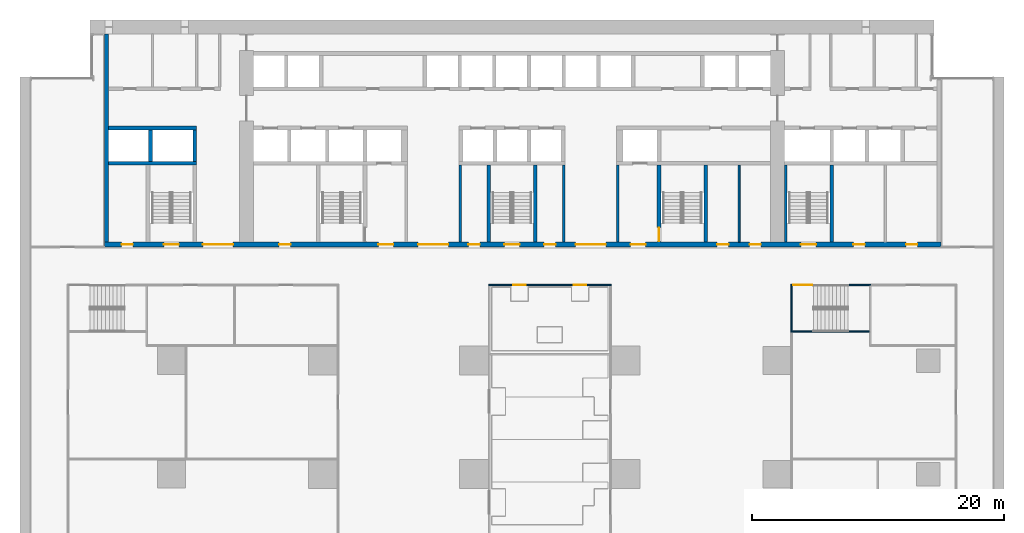
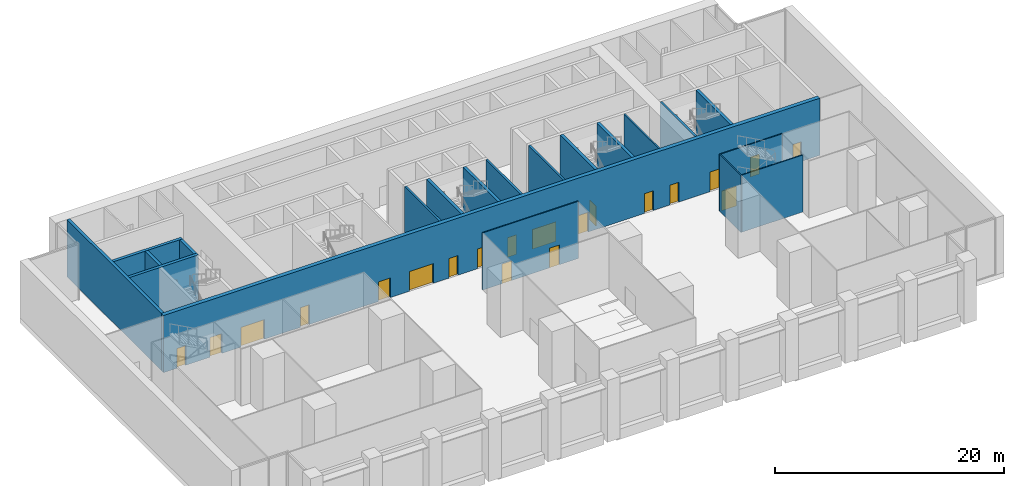
# One storey, part 8 of 18: 20 doors, 20 walls, 20 openings.
"""IFC4 building model written with IfcOpenShell, lengths in metres."""

from ifc_helpers import new_model, si_unit, direction, frame, frame_2d, origin, place, context, subcontext, project, spatial, rectangle, extrude, material, layer, layer_set, type_object, element, fill, save


model = new_model("IFC4")

# Units and contexts
model_context = context("Model", 3, precision=1e-05, world=origin(), true_north=direction((0.0, 1.0)))
body_context = subcontext(model_context, "Body", "Model", "MODEL_VIEW")
ifc_project = project(units=[si_unit("LENGTHUNIT", "METRE"), si_unit("AREAUNIT", "SQUARE_METRE"), si_unit("VOLUMEUNIT", "CUBIC_METRE"), si_unit("PLANEANGLEUNIT", "RADIAN"), si_unit("MASSUNIT", "GRAM", prefix="KILO")], contexts=[model_context])

# Site, building, storey
site_placement = place(None, origin())
site = spatial("IfcSite", under=ifc_project, at=site_placement, CompositionType="ELEMENT")
building_placement = place(site_placement, origin())
building = spatial("IfcBuilding", under=site, at=building_placement, Name="Calvaro Tower", CompositionType="ELEMENT")
storey_placement = place(building_placement, frame((0.0, 0.0, 11.300048828125)))
storey = spatial("IfcBuildingStorey", under=building, at=storey_placement, Name="L02", CompositionType="ELEMENT", Elevation=11.300048828125)

# Walls
ifc_material_1 = material(Name="Blockwork partition", Category="masonry")
ifc_layer_1 = layer(ifc_material_1, 0.14990234375)
ifc_layer_set_1 = layer_set([ifc_layer_1], Name="Blockwork partition")
wall_type_1 = type_object("IfcWallType", Name="Core partition 150 EI 60", PredefinedType="PARTITIONING", material=ifc_layer_set_1)
wall_1_placement = place(storey_placement, frame((57.0, 28.39990234375, 0.0), z_axis=(0.0, 0.0, 1.0), x_axis=(0.0, 1.0, 0.0)))
element("IfcWall", 1, at=wall_1_placement, inside=storey, type_object=wall_type_1, Name="Core partition", PredefinedType="PARTITIONING", context=body_context, shape_type="SweptSolid", body=[
    extrude(rectangle(XDim=6.10009765625, YDim=0.14990234375, at=frame_2d((3.050048828125, 0.0))), origin(), (0.0, 0.0, 1.0), 6.099853515625),
])
ifc_material_2 = material(Name="Blockwork partition", Category="masonry")
ifc_layer_2 = layer(ifc_material_2, 0.199951171875)
ifc_layer_set_2 = layer_set([ifc_layer_2], Name="Blockwork partition")
wall_type_2 = type_object("IfcWallType", Name="Core partition 200 REI 120", PredefinedType="PARTITIONING", material=ifc_layer_set_2)
for number, where, z_axis, x_axis, name in (
    (2, (34.89990234375, 28.39990234375, 0.0), (0.0, 0.0, 1.0), (0.0, 1.0, 0.0), "Core partition"),
    (3, (43.10009765625, 28.39990234375, 0.0), (0.0, 0.0, 1.0), (0.0, 1.0, 0.0), "Core partition"),
    (4, (47.39990234375, 28.39990234375, 0.0), (0.0, 0.0, 1.0), (0.0, 1.0, 0.0), "Core partition"),
):
    element("IfcWall", number, at=place(storey_placement, frame(where, z_axis=z_axis, x_axis=x_axis)), inside=storey, type_object=wall_type_2, Name=name, PredefinedType="PARTITIONING", context=body_context, shape_type="SweptSolid", body=[
        extrude(rectangle(XDim=6.10009765625, YDim=0.199951171875, at=frame_2d((3.050048828125, 0.0))), origin(), (0.0, 0.0, 1.0), 6.099853515625),
    ])
ifc_material_3 = material(Name="Concrete C80/95", Category="concrete")
ifc_layer_3 = layer(ifc_material_3, 0.199951171875)
ifc_layer_set_3 = layer_set([ifc_layer_3], Name="Concrete C80/95")
wall_type_3 = type_object("IfcWallType", Name="Core wall C80/95 200", PredefinedType="SHEAR", material=ifc_layer_set_3)
wall_2_placement = place(storey_placement, frame((60.699951171875, 28.39990234375, 0.0), z_axis=(0.0, 0.0, 1.0), x_axis=(0.0, 1.0, 0.0)))
element("IfcWall", 5, at=wall_2_placement, inside=storey, type_object=wall_type_3, Name="Core wall, stair enclosure", PredefinedType="SHEAR", context=body_context, shape_type="SweptSolid", body=[
    extrude(rectangle(XDim=6.10009765625, YDim=0.199951171875, at=frame_2d((3.050048828125, 0.0))), origin(), (0.0, 0.0, 1.0), 6.099853515625),
])
ifc_material_4 = material(Name="Concrete C80/95", Category="concrete")
ifc_layer_4 = layer(ifc_material_4, 0.300048828125)
ifc_layer_set_4 = layer_set([ifc_layer_4], Name="Concrete C80/95")
wall_type_4 = type_object("IfcWallType", Name="Core wall C80/95 300", PredefinedType="SHEAR", material=ifc_layer_set_4)
wall_3_placement = place(storey_placement, frame((6.85009765625, 28.39990234375, 0.0), z_axis=(0.0, 0.0, 1.0), x_axis=(0.0, 1.0, 0.0)))
element("IfcWall", 6, at=wall_3_placement, inside=storey, type_object=wall_type_4, Name="Core wall, boundary", PredefinedType="SHEAR", context=body_context, shape_type="SweptSolid", body=[
    extrude(rectangle(XDim=16.5, YDim=0.300048828125, at=frame_2d((8.25, 0.0))), origin(), (0.0, 0.0, 1.0), 6.099853515625),
])
for number, where, z_axis, x_axis, name in (
    (7, (37.14990234375, 28.39990234375, 0.0), (0.0, 0.0, 1.0), (0.0, 1.0, 0.0), "Core wall, stair enclosure"),
    (8, (40.85009765625, 28.39990234375, 0.0), (0.0, 0.0, 1.0), (0.0, 1.0, 0.0), "Core wall, stair enclosure"),
):
    element("IfcWall", number, at=place(storey_placement, frame(where, z_axis=z_axis, x_axis=x_axis)), inside=storey, type_object=wall_type_4, Name=name, PredefinedType="SHEAR", context=body_context, shape_type="SweptSolid", body=[
        extrude(rectangle(XDim=6.10009765625, YDim=0.300048828125, at=frame_2d((3.050048828125, 0.0))), origin(), (0.0, 0.0, 1.0), 6.099853515625),
    ])

# Wall, opening, door
wall_4_placement = place(storey_placement, frame((50.64990234375, 34.5, 0.0), z_axis=(0.0, 0.0, 1.0), x_axis=(0.0, -1.0, 0.0)))
wall_4 = element("IfcWall", 9, at=wall_4_placement, inside=storey, type_object=wall_type_4, Name="Core wall, stair enclosure", PredefinedType="SHEAR", context=body_context, shape_type="SweptSolid", body=[
    extrude(rectangle(XDim=6.10009765625, YDim=0.300048828125, at=frame_2d((3.050048828125, 0.0))), origin(), (0.0, 0.0, 1.0), 6.099853515625),
])
opening_1_placement = place(wall_4_placement, frame((4.949951171875, 0.0, 0.0)))
opening_1 = element("IfcOpeningElement", 10, at=opening_1_placement, cuts=wall_4, Name="Opening FD11D", PredefinedType="OPENING", context=body_context, shape_type="SweptSolid", body=[
    extrude(rectangle(XDim=1.10009765625, YDim=2.10009765625, at=frame_2d((0.550048828125, 1.050048828125))), frame((0.0, 0.159912109375, 0.0), z_axis=(0.0, -1.0, 0.0), x_axis=(1.0, 0.0, 0.0)), (0.0, 0.0, 1.0), 0.320068359375),
])
ifc_material_5 = material(Name="Steel door set", Category="steel")
door_type_1 = type_object("IfcDoorType", Name="Fire door 1100 FD30S", OperationType="SINGLE_SWING_LEFT", PredefinedType="DOOR", material=ifc_material_5)
door_1_placement = place(opening_1_placement, origin())
door_1 = element("IfcDoor", 11, at=door_1_placement, inside=storey, type_object=door_type_1, Name="Fire door", OperationType="SINGLE_SWING_RIGHT", OverallHeight=2.10009765625, OverallWidth=1.10009765625, PredefinedType="DOOR", context=body_context, shape_type="SweptSolid", body=[
    extrude(rectangle(XDim=1.10009765625, YDim=2.10009765625, at=frame_2d((0.550048828125, 1.050048828125))), frame((0.0, 0.02490234375, 0.0), z_axis=(0.0, -1.0, 0.0), x_axis=(1.0, 0.0, 0.0)), (0.0, 0.0, 1.0), 0.050048828125),
])
fill(opening_1, door_1)

# Walls
for number, where, z_axis, x_axis, name in (
    (12, (54.35009765625, 28.39990234375, 0.0), (0.0, 0.0, 1.0), (0.0, 1.0, 0.0), "Core wall, stair enclosure"),
    (13, (64.35009765625, 28.39990234375, 0.0), (0.0, 0.0, 1.0), (0.0, 1.0, 0.0), "Core wall, stair enclosure"),
):
    element("IfcWall", number, at=place(storey_placement, frame(where, z_axis=z_axis, x_axis=x_axis)), inside=storey, type_object=wall_type_4, Name=name, PredefinedType="SHEAR", context=body_context, shape_type="SweptSolid", body=[
        extrude(rectangle(XDim=6.10009765625, YDim=0.300048828125, at=frame_2d((3.050048828125, 0.0))), origin(), (0.0, 0.0, 1.0), 6.099853515625),
    ])
for number, where, z_axis, x_axis, name in (
    (14, (7.0, 34.64990234375, 0.0), (0.0, 0.0, 1.0), (1.0, 0.0, 0.0), "Core wall, lift shaft"),
    (15, (7.0, 37.449951171875, 0.0), (0.0, 0.0, 1.0), (1.0, 0.0, 0.0), "Core wall, lift shaft"),
):
    element("IfcWall", number, at=place(storey_placement, frame(where, z_axis=z_axis, x_axis=x_axis)), inside=storey, type_object=wall_type_4, Name=name, PredefinedType="SHEAR", context=body_context, shape_type="SweptSolid", body=[
        extrude(rectangle(XDim=7.0, YDim=0.300048828125, at=frame_2d((3.5, 0.0))), origin(), (0.0, 0.0, 1.0), 6.099853515625),
    ])
for number, where, z_axis, x_axis, name in (
    (16, (13.85009765625, 34.800048828125, 0.0), (0.0, 0.0, 1.0), (0.0, 1.0, 0.0), "Core wall, lift shaft"),
    (17, (10.35009765625, 34.800048828125, 0.0), (0.0, 0.0, 1.0), (0.0, 1.0, 0.0), "Core wall, lift shaft"),
):
    element("IfcWall", number, at=place(storey_placement, frame(where, z_axis=z_axis, x_axis=x_axis)), inside=storey, type_object=wall_type_4, Name=name, PredefinedType="SHEAR", context=body_context, shape_type="SweptSolid", body=[
        extrude(rectangle(XDim=2.5, YDim=0.300048828125, at=frame_2d((1.25, 0.0))), origin(), (0.0, 0.0, 1.0), 6.099853515625),
    ])

# Wall, openings, doors
ifc_material_6 = material(Name="Concrete C80/95", Category="concrete")
ifc_layer_5 = layer(ifc_material_6, 0.39990234375)
ifc_layer_set_5 = layer_set([ifc_layer_5], Name="Concrete C80/95")
wall_type_5 = type_object("IfcWallType", Name="Core wall C80/95 400", PredefinedType="SHEAR", material=ifc_layer_set_5)
wall_5_placement = place(storey_placement, frame((6.699951171875, 28.199951171875, 0.0), z_axis=(0.0, 0.0, 1.0), x_axis=(1.0, 0.0, 0.0)))
wall_5 = element("IfcWall", 18, at=wall_5_placement, inside=storey, type_object=wall_type_5, Name="Core wall, front", PredefinedType="SHEAR", context=body_context, shape_type="SweptSolid", body=[
    extrude(rectangle(XDim=66.300048828125, YDim=0.39990234375, at=frame_2d((33.14990234375, 0.0))), origin(), (0.0, 0.0, 1.0), 6.099853515625),
])
opening_2_placement = place(wall_5_placement, frame((13.85009765625, 0.0, 0.0)))
opening_2 = element("IfcOpeningElement", 19, at=opening_2_placement, cuts=wall_5, Name="Opening RD9E", PredefinedType="OPENING", context=body_context, shape_type="SweptSolid", body=[
    extrude(rectangle(XDim=0.89990234375, YDim=2.10009765625, at=frame_2d((0.449951171875, 1.050048828125))), frame((0.0, 0.2099609375, 0.0), z_axis=(0.0, -1.0, 0.0), x_axis=(1.0, 0.0, 0.0)), (0.0, 0.0, 1.0), 0.419921875),
])
opening_3_placement = place(wall_5_placement, frame((48.5625, 0.0, 0.0)))
opening_3 = element("IfcOpeningElement", 20, at=opening_3_placement, cuts=wall_5, Name="Opening RD9C", PredefinedType="OPENING", context=body_context, shape_type="SweptSolid", body=[
    extrude(rectangle(XDim=0.89990234375, YDim=2.10009765625, at=frame_2d((0.449951171875, 1.050048828125))), frame((0.0, 0.2099609375, 0.0), z_axis=(0.0, -1.0, 0.0), x_axis=(1.0, 0.0, 0.0)), (0.0, 0.0, 1.0), 0.419921875),
])
opening_4_placement = place(wall_5_placement, frame((51.137451171875, 0.0, 0.0)))
opening_4 = element("IfcOpeningElement", 21, at=opening_4_placement, cuts=wall_5, Name="Opening RD9C", PredefinedType="OPENING", context=body_context, shape_type="SweptSolid", body=[
    extrude(rectangle(XDim=0.89990234375, YDim=2.10009765625, at=frame_2d((0.449951171875, 1.050048828125))), frame((0.0, 0.2099609375, 0.0), z_axis=(0.0, -1.0, 0.0), x_axis=(1.0, 0.0, 0.0)), (0.0, 0.0, 1.0), 0.419921875),
])
opening_5_placement = place(wall_5_placement, frame((1.35009765625, 0.0, 0.0)))
opening_5 = element("IfcOpeningElement", 22, at=opening_5_placement, cuts=wall_5, Name="Opening RD9C", PredefinedType="OPENING", context=body_context, shape_type="SweptSolid", body=[
    extrude(rectangle(XDim=0.89990234375, YDim=2.10009765625, at=frame_2d((0.449951171875, 1.050048828125))), frame((0.0, 0.2099609375, 0.0), z_axis=(0.0, -1.0, 0.0), x_axis=(1.0, 0.0, 0.0)), (0.0, 0.0, 1.0), 0.419921875),
])
opening_6_placement = place(wall_5_placement, frame((59.362548828125, 0.0, 0.0)))
opening_6 = element("IfcOpeningElement", 23, at=opening_6_placement, cuts=wall_5, Name="Opening RD9C", PredefinedType="OPENING", context=body_context, shape_type="SweptSolid", body=[
    extrude(rectangle(XDim=0.89990234375, YDim=2.10009765625, at=frame_2d((0.449951171875, 1.050048828125))), frame((0.0, 0.2099609375, 0.0), z_axis=(0.0, -1.0, 0.0), x_axis=(1.0, 0.0, 0.0)), (0.0, 0.0, 1.0), 0.419921875),
])
opening_7_placement = place(wall_5_placement, frame((63.53759765625, 0.0, 0.0)))
opening_7 = element("IfcOpeningElement", 24, at=opening_7_placement, cuts=wall_5, Name="Opening RD9C", PredefinedType="OPENING", context=body_context, shape_type="SweptSolid", body=[
    extrude(rectangle(XDim=0.89990234375, YDim=2.10009765625, at=frame_2d((0.449951171875, 1.050048828125))), frame((0.0, 0.2099609375, 0.0), z_axis=(0.0, -1.0, 0.0), x_axis=(1.0, 0.0, 0.0)), (0.0, 0.0, 1.0), 0.419921875),
])
opening_8_placement = place(wall_5_placement, frame((4.699951171875, 0.0, 0.0)))
opening_8 = element("IfcOpeningElement", 25, at=opening_8_placement, cuts=wall_5, Name="Opening SD12D", PredefinedType="OPENING", context=body_context, shape_type="SweptSolid", body=[
    extrude(rectangle(XDim=1.199951171875, YDim=2.10009765625, at=frame_2d((0.60009765625, 1.050048828125))), frame((0.0, 0.2099609375, 0.0), z_axis=(0.0, -1.0, 0.0), x_axis=(1.0, 0.0, 0.0)), (0.0, 0.0, 1.0), 0.419921875),
])
opening_9_placement = place(wall_5_placement, frame((31.699951171875, 0.0, 0.0)))
opening_9 = element("IfcOpeningElement", 26, at=opening_9_placement, cuts=wall_5, Name="Opening SD12D", PredefinedType="OPENING", context=body_context, shape_type="SweptSolid", body=[
    extrude(rectangle(XDim=1.199951171875, YDim=2.10009765625, at=frame_2d((0.60009765625, 1.050048828125))), frame((0.0, 0.2099609375, 0.0), z_axis=(0.0, -1.0, 0.0), x_axis=(1.0, 0.0, 0.0)), (0.0, 0.0, 1.0), 0.419921875),
])
opening_10_placement = place(wall_5_placement, frame((55.199951171875, 0.0, 0.0)))
opening_10 = element("IfcOpeningElement", 27, at=opening_10_placement, cuts=wall_5, Name="Opening SD12D", PredefinedType="OPENING", context=body_context, shape_type="SweptSolid", body=[
    extrude(rectangle(XDim=1.199951171875, YDim=2.10009765625, at=frame_2d((0.60009765625, 1.050048828125))), frame((0.0, 0.2099609375, 0.0), z_axis=(0.0, -1.0, 0.0), x_axis=(1.0, 0.0, 0.0)), (0.0, 0.0, 1.0), 0.419921875),
])
opening_11_placement = place(wall_5_placement, frame((21.699951171875, 0.0, 0.0)))
opening_11 = element("IfcOpeningElement", 28, at=opening_11_placement, cuts=wall_5, Name="Opening FD12F", PredefinedType="OPENING", context=body_context, shape_type="SweptSolid", body=[
    extrude(rectangle(XDim=1.199951171875, YDim=2.10009765625, at=frame_2d((0.60009765625, 1.050048828125))), frame((0.0, 0.2099609375, 0.0), z_axis=(0.0, -1.0, 0.0), x_axis=(1.0, 0.0, 0.0)), (0.0, 0.0, 1.0), 0.419921875),
])
opening_12_placement = place(wall_5_placement, frame((41.699951171875, 0.0, 0.0)))
opening_12 = element("IfcOpeningElement", 29, at=opening_12_placement, cuts=wall_5, Name="Opening FD12F", PredefinedType="OPENING", context=body_context, shape_type="SweptSolid", body=[
    extrude(rectangle(XDim=1.199951171875, YDim=2.10009765625, at=frame_2d((0.60009765625, 1.050048828125))), frame((0.0, 0.2099609375, 0.0), z_axis=(0.0, -1.0, 0.0), x_axis=(1.0, 0.0, 0.0)), (0.0, 0.0, 1.0), 0.419921875),
])
opening_13_placement = place(wall_5_placement, frame((24.85009765625, 0.0, 0.0)))
opening_13 = element("IfcOpeningElement", 30, at=opening_13_placement, cuts=wall_5, Name="Opening DD24D", PredefinedType="OPENING", context=body_context, shape_type="SweptSolid", body=[
    extrude(rectangle(XDim=2.39990234375, YDim=2.10009765625, at=frame_2d((1.199951171875, 1.050048828125))), frame((0.0, 0.2099609375, 0.0), z_axis=(0.0, -1.0, 0.0), x_axis=(1.0, 0.0, 0.0)), (0.0, 0.0, 1.0), 0.419921875),
])
opening_14_placement = place(wall_5_placement, frame((37.35009765625, 0.0, 0.0)))
opening_14 = element("IfcOpeningElement", 31, at=opening_14_placement, cuts=wall_5, Name="Opening DD24D", PredefinedType="OPENING", context=body_context, shape_type="SweptSolid", body=[
    extrude(rectangle(XDim=2.39990234375, YDim=2.10009765625, at=frame_2d((1.199951171875, 1.050048828125))), frame((0.0, 0.2099609375, 0.0), z_axis=(0.0, -1.0, 0.0), x_axis=(1.0, 0.0, 0.0)), (0.0, 0.0, 1.0), 0.419921875),
])
opening_15_placement = place(wall_5_placement, frame((7.800048828125, 0.0, 0.0)))
opening_15 = element("IfcOpeningElement", 32, at=opening_15_placement, cuts=wall_5, Name="Opening DD24D", PredefinedType="OPENING", context=body_context, shape_type="SweptSolid", body=[
    extrude(rectangle(XDim=2.39990234375, YDim=2.10009765625, at=frame_2d((1.199951171875, 1.050048828125))), frame((0.0, 0.2099609375, 0.0), z_axis=(0.0, -1.0, 0.0), x_axis=(1.0, 0.0, 0.0)), (0.0, 0.0, 1.0), 0.419921875),
])
opening_16_placement = place(wall_5_placement, frame((28.85009765625, 0.0, 0.0)))
opening_16 = element("IfcOpeningElement", 33, at=opening_16_placement, cuts=wall_5, Name="Opening RD9E", PredefinedType="OPENING", context=body_context, shape_type="SweptSolid", body=[
    extrude(rectangle(XDim=0.89990234375, YDim=2.10009765625, at=frame_2d((0.449951171875, 1.050048828125))), frame((0.0, 0.2099609375, 0.0), z_axis=(0.0, -1.0, 0.0), x_axis=(1.0, 0.0, 0.0)), (0.0, 0.0, 1.0), 0.419921875),
])
opening_17_placement = place(wall_5_placement, frame((34.85009765625, 0.0, 0.0)))
opening_17 = element("IfcOpeningElement", 34, at=opening_17_placement, cuts=wall_5, Name="Opening RD9E", PredefinedType="OPENING", context=body_context, shape_type="SweptSolid", body=[
    extrude(rectangle(XDim=0.89990234375, YDim=2.10009765625, at=frame_2d((0.449951171875, 1.050048828125))), frame((0.0, 0.2099609375, 0.0), z_axis=(0.0, -1.0, 0.0), x_axis=(1.0, 0.0, 0.0)), (0.0, 0.0, 1.0), 0.419921875),
])
ifc_material_7 = material(Name="Steel door set", Category="steel")
door_type_2 = type_object("IfcDoorType", Name="Fire door 1200 FD60S", OperationType="SINGLE_SWING_LEFT", PredefinedType="DOOR", material=ifc_material_7)
door_2_placement = place(opening_11_placement, origin())
door_2 = element("IfcDoor", 35, at=door_2_placement, inside=storey, type_object=door_type_2, Name="Fire door", OperationType="SINGLE_SWING_LEFT", OverallHeight=2.10009765625, OverallWidth=1.199951171875, PredefinedType="DOOR", context=body_context, shape_type="SweptSolid", body=[
    extrude(rectangle(XDim=1.199951171875, YDim=2.10009765625, at=frame_2d((0.60009765625, 1.050048828125))), frame((0.0, 0.02490234375, 0.0), z_axis=(0.0, -1.0, 0.0), x_axis=(1.0, 0.0, 0.0)), (0.0, 0.0, 1.0), 0.050048828125),
])
fill(opening_11, door_2)
door_3_placement = place(opening_12_placement, origin())
door_3 = element("IfcDoor", 36, at=door_3_placement, inside=storey, type_object=door_type_2, Name="Fire door", OperationType="SINGLE_SWING_LEFT", OverallHeight=2.10009765625, OverallWidth=1.199951171875, PredefinedType="DOOR", context=body_context, shape_type="SweptSolid", body=[
    extrude(rectangle(XDim=1.199951171875, YDim=2.10009765625, at=frame_2d((0.60009765625, 1.050048828125))), frame((0.0, 0.02490234375, 0.0), z_axis=(0.0, -1.0, 0.0), x_axis=(1.0, 0.0, 0.0)), (0.0, 0.0, 1.0), 0.050048828125),
])
fill(opening_12, door_3)
ifc_material_8 = material(Name="Steel door set", Category="steel")
door_type_3 = type_object("IfcDoorType", Name="Lobby double door 2400 FD30S", OperationType="DOUBLE_DOOR_SINGLE_SWING", PredefinedType="DOOR", material=ifc_material_8)
door_4_placement = place(opening_13_placement, origin())
door_4 = element("IfcDoor", 37, at=door_4_placement, inside=storey, type_object=door_type_3, Name="Lobby double door", OperationType="DOUBLE_DOOR_SINGLE_SWING", OverallHeight=2.10009765625, OverallWidth=2.39990234375, PredefinedType="DOOR", context=body_context, shape_type="SweptSolid", body=[
    extrude(rectangle(XDim=2.39990234375, YDim=2.10009765625, at=frame_2d((1.199951171875, 1.050048828125))), frame((0.0, 0.02490234375, 0.0), z_axis=(0.0, -1.0, 0.0), x_axis=(1.0, 0.0, 0.0)), (0.0, 0.0, 1.0), 0.050048828125),
])
fill(opening_13, door_4)
door_5_placement = place(opening_14_placement, origin())
door_5 = element("IfcDoor", 38, at=door_5_placement, inside=storey, type_object=door_type_3, Name="Lobby double door", OperationType="DOUBLE_DOOR_SINGLE_SWING", OverallHeight=2.10009765625, OverallWidth=2.39990234375, PredefinedType="DOOR", context=body_context, shape_type="SweptSolid", body=[
    extrude(rectangle(XDim=2.39990234375, YDim=2.10009765625, at=frame_2d((1.199951171875, 1.050048828125))), frame((0.0, 0.02490234375, 0.0), z_axis=(0.0, -1.0, 0.0), x_axis=(1.0, 0.0, 0.0)), (0.0, 0.0, 1.0), 0.050048828125),
])
fill(opening_14, door_5)
door_6_placement = place(opening_15_placement, origin())
door_6 = element("IfcDoor", 39, at=door_6_placement, inside=storey, type_object=door_type_3, Name="Lobby double door", OperationType="DOUBLE_DOOR_SINGLE_SWING", OverallHeight=2.10009765625, OverallWidth=2.39990234375, PredefinedType="DOOR", context=body_context, shape_type="SweptSolid", body=[
    extrude(rectangle(XDim=2.39990234375, YDim=2.10009765625, at=frame_2d((1.199951171875, 1.050048828125))), frame((0.0, 0.02490234375, 0.0), z_axis=(0.0, -1.0, 0.0), x_axis=(1.0, 0.0, 0.0)), (0.0, 0.0, 1.0), 0.050048828125),
])
fill(opening_15, door_6)
ifc_material_9 = material(Name="Steel door set", Category="steel")
door_type_4 = type_object("IfcDoorType", Name="Room door 900 FD30", OperationType="SINGLE_SWING_LEFT", PredefinedType="DOOR", material=ifc_material_9)
door_7_placement = place(opening_3_placement, origin())
door_7 = element("IfcDoor", 40, at=door_7_placement, inside=storey, type_object=door_type_4, Name="Room door", OperationType="SINGLE_SWING_LEFT", OverallHeight=2.10009765625, OverallWidth=0.89990234375, PredefinedType="DOOR", context=body_context, shape_type="SweptSolid", body=[
    extrude(rectangle(XDim=0.89990234375, YDim=2.10009765625, at=frame_2d((0.449951171875, 1.050048828125))), frame((0.0, 0.02490234375, 0.0), z_axis=(0.0, -1.0, 0.0), x_axis=(1.0, 0.0, 0.0)), (0.0, 0.0, 1.0), 0.050048828125),
])
fill(opening_3, door_7)
door_8_placement = place(opening_4_placement, origin())
door_8 = element("IfcDoor", 41, at=door_8_placement, inside=storey, type_object=door_type_4, Name="Room door", OperationType="SINGLE_SWING_LEFT", OverallHeight=2.10009765625, OverallWidth=0.89990234375, PredefinedType="DOOR", context=body_context, shape_type="SweptSolid", body=[
    extrude(rectangle(XDim=0.89990234375, YDim=2.10009765625, at=frame_2d((0.449951171875, 1.050048828125))), frame((0.0, 0.02490234375, 0.0), z_axis=(0.0, -1.0, 0.0), x_axis=(1.0, 0.0, 0.0)), (0.0, 0.0, 1.0), 0.050048828125),
])
fill(opening_4, door_8)
door_9_placement = place(opening_5_placement, origin())
door_9 = element("IfcDoor", 42, at=door_9_placement, inside=storey, type_object=door_type_4, Name="Room door", OperationType="SINGLE_SWING_LEFT", OverallHeight=2.10009765625, OverallWidth=0.89990234375, PredefinedType="DOOR", context=body_context, shape_type="SweptSolid", body=[
    extrude(rectangle(XDim=0.89990234375, YDim=2.10009765625, at=frame_2d((0.449951171875, 1.050048828125))), frame((0.0, 0.02490234375, 0.0), z_axis=(0.0, -1.0, 0.0), x_axis=(1.0, 0.0, 0.0)), (0.0, 0.0, 1.0), 0.050048828125),
])
fill(opening_5, door_9)
door_10_placement = place(opening_6_placement, origin())
door_10 = element("IfcDoor", 43, at=door_10_placement, inside=storey, type_object=door_type_4, Name="Room door", OperationType="SINGLE_SWING_LEFT", OverallHeight=2.10009765625, OverallWidth=0.89990234375, PredefinedType="DOOR", context=body_context, shape_type="SweptSolid", body=[
    extrude(rectangle(XDim=0.89990234375, YDim=2.10009765625, at=frame_2d((0.449951171875, 1.050048828125))), frame((0.0, 0.02490234375, 0.0), z_axis=(0.0, -1.0, 0.0), x_axis=(1.0, 0.0, 0.0)), (0.0, 0.0, 1.0), 0.050048828125),
])
fill(opening_6, door_10)
door_11_placement = place(opening_7_placement, origin())
door_11 = element("IfcDoor", 44, at=door_11_placement, inside=storey, type_object=door_type_4, Name="Room door", OperationType="SINGLE_SWING_LEFT", OverallHeight=2.10009765625, OverallWidth=0.89990234375, PredefinedType="DOOR", context=body_context, shape_type="SweptSolid", body=[
    extrude(rectangle(XDim=0.89990234375, YDim=2.10009765625, at=frame_2d((0.449951171875, 1.050048828125))), frame((0.0, 0.02490234375, 0.0), z_axis=(0.0, -1.0, 0.0), x_axis=(1.0, 0.0, 0.0)), (0.0, 0.0, 1.0), 0.050048828125),
])
fill(opening_7, door_11)
ifc_material_10 = material(Name="Steel door set", Category="steel")
door_type_5 = type_object("IfcDoorType", Name="Room door 900 FD60", OperationType="SINGLE_SWING_LEFT", PredefinedType="DOOR", material=ifc_material_10)
door_12_placement = place(opening_2_placement, origin())
door_12 = element("IfcDoor", 45, at=door_12_placement, inside=storey, type_object=door_type_5, Name="Room door", OperationType="SINGLE_SWING_LEFT", OverallHeight=2.10009765625, OverallWidth=0.89990234375, PredefinedType="DOOR", context=body_context, shape_type="SweptSolid", body=[
    extrude(rectangle(XDim=0.89990234375, YDim=2.10009765625, at=frame_2d((0.449951171875, 1.050048828125))), frame((0.0, 0.02490234375, 0.0), z_axis=(0.0, -1.0, 0.0), x_axis=(1.0, 0.0, 0.0)), (0.0, 0.0, 1.0), 0.050048828125),
])
fill(opening_2, door_12)
door_13_placement = place(opening_16_placement, origin())
door_13 = element("IfcDoor", 46, at=door_13_placement, inside=storey, type_object=door_type_5, Name="Room door", OperationType="SINGLE_SWING_LEFT", OverallHeight=2.10009765625, OverallWidth=0.89990234375, PredefinedType="DOOR", context=body_context, shape_type="SweptSolid", body=[
    extrude(rectangle(XDim=0.89990234375, YDim=2.10009765625, at=frame_2d((0.449951171875, 1.050048828125))), frame((0.0, 0.02490234375, 0.0), z_axis=(0.0, -1.0, 0.0), x_axis=(1.0, 0.0, 0.0)), (0.0, 0.0, 1.0), 0.050048828125),
])
fill(opening_16, door_13)
door_14_placement = place(opening_17_placement, origin())
door_14 = element("IfcDoor", 47, at=door_14_placement, inside=storey, type_object=door_type_5, Name="Room door", OperationType="SINGLE_SWING_LEFT", OverallHeight=2.10009765625, OverallWidth=0.89990234375, PredefinedType="DOOR", context=body_context, shape_type="SweptSolid", body=[
    extrude(rectangle(XDim=0.89990234375, YDim=2.10009765625, at=frame_2d((0.449951171875, 1.050048828125))), frame((0.0, 0.02490234375, 0.0), z_axis=(0.0, -1.0, 0.0), x_axis=(1.0, 0.0, 0.0)), (0.0, 0.0, 1.0), 0.050048828125),
])
fill(opening_17, door_14)
ifc_material_11 = material(Name="Steel door set", Category="steel")
door_type_6 = type_object("IfcDoorType", Name="Stair door 1200 FD30S", OperationType="SINGLE_SWING_LEFT", PredefinedType="DOOR", material=ifc_material_11)
door_15_placement = place(opening_8_placement, origin())
door_15 = element("IfcDoor", 48, at=door_15_placement, inside=storey, type_object=door_type_6, Name="Stair door", OperationType="SINGLE_SWING_LEFT", OverallHeight=2.10009765625, OverallWidth=1.199951171875, PredefinedType="DOOR", context=body_context, shape_type="SweptSolid", body=[
    extrude(rectangle(XDim=1.199951171875, YDim=2.10009765625, at=frame_2d((0.60009765625, 1.050048828125))), frame((0.0, 0.02490234375, 0.0), z_axis=(0.0, -1.0, 0.0), x_axis=(1.0, 0.0, 0.0)), (0.0, 0.0, 1.0), 0.050048828125),
])
fill(opening_8, door_15)
door_16_placement = place(opening_9_placement, origin())
door_16 = element("IfcDoor", 49, at=door_16_placement, inside=storey, type_object=door_type_6, Name="Stair door", OperationType="SINGLE_SWING_LEFT", OverallHeight=2.10009765625, OverallWidth=1.199951171875, PredefinedType="DOOR", context=body_context, shape_type="SweptSolid", body=[
    extrude(rectangle(XDim=1.199951171875, YDim=2.10009765625, at=frame_2d((0.60009765625, 1.050048828125))), frame((0.0, 0.02490234375, 0.0), z_axis=(0.0, -1.0, 0.0), x_axis=(1.0, 0.0, 0.0)), (0.0, 0.0, 1.0), 0.050048828125),
])
fill(opening_9, door_16)
door_17_placement = place(opening_10_placement, origin())
door_17 = element("IfcDoor", 50, at=door_17_placement, inside=storey, type_object=door_type_6, Name="Stair door", OperationType="SINGLE_SWING_LEFT", OverallHeight=2.10009765625, OverallWidth=1.199951171875, PredefinedType="DOOR", context=body_context, shape_type="SweptSolid", body=[
    extrude(rectangle(XDim=1.199951171875, YDim=2.10009765625, at=frame_2d((0.60009765625, 1.050048828125))), frame((0.0, 0.02490234375, 0.0), z_axis=(0.0, -1.0, 0.0), x_axis=(1.0, 0.0, 0.0)), (0.0, 0.0, 1.0), 0.050048828125),
])
fill(opening_10, door_17)

ifc_material_12 = material(Name="Plasterboard on steel studs", Category="steel")
ifc_layer_6 = layer(ifc_material_12, 0.10009765625)
ifc_layer_set_6 = layer_set([ifc_layer_6], Name="Plasterboard on steel studs")
wall_type_6 = type_object("IfcWallType", Name="Partition 100", PredefinedType="PARTITIONING", material=ifc_layer_set_6)
wall_6_placement = place(storey_placement, frame((37.14990234375, 25.0, 0.0), z_axis=(0.0, 0.0, 1.0), x_axis=(1.0, 0.0, 0.0)))
wall_6 = element("IfcWall", 51, at=wall_6_placement, inside=storey, type_object=wall_type_6, Name="Partition T05.W013", PredefinedType="PARTITIONING", context=body_context, shape_type="SweptSolid", body=[
    extrude(rectangle(XDim=9.7001953125, YDim=0.10009765625, at=frame_2d((4.85009765625, 0.0))), origin(), (0.0, 0.0, 1.0), 6.099853515625),
])
opening_18_placement = place(wall_6_placement, frame((1.949951171875, 0.0, 0.0)))
opening_18 = element("IfcOpeningElement", 52, at=opening_18_placement, cuts=wall_6, Name="Opening T05.011", PredefinedType="OPENING", context=body_context, shape_type="SweptSolid", body=[
    extrude(rectangle(XDim=1.0, YDim=2.10009765625, at=frame_2d((0.5, 1.050048828125))), frame((0.0, 0.06005859375, 0.0), z_axis=(0.0, -1.0, 0.0), x_axis=(1.0, 0.0, 0.0)), (0.0, 0.0, 1.0), 0.1201171875),
])
opening_19_placement = place(wall_6_placement, frame((6.75, 0.0, 0.0)))
opening_19 = element("IfcOpeningElement", 53, at=opening_19_placement, cuts=wall_6, Name="Opening T05.012", PredefinedType="OPENING", context=body_context, shape_type="SweptSolid", body=[
    extrude(rectangle(XDim=1.0, YDim=2.10009765625, at=frame_2d((0.5, 1.050048828125))), frame((0.0, 0.06005859375, 0.0), z_axis=(0.0, -1.0, 0.0), x_axis=(1.0, 0.0, 0.0)), (0.0, 0.0, 1.0), 0.1201171875),
])
ifc_material_13 = material(Name="Timber", Category="wood")
door_type_7 = type_object("IfcDoorType", Name="Internal single door 1000 x 2100", OperationType="SINGLE_SWING_LEFT", PredefinedType="DOOR", material=ifc_material_13)
door_18_placement = place(opening_18_placement, origin())
door_18 = element("IfcDoor", 54, at=door_18_placement, inside=storey, type_object=door_type_7, Name="Door T05.011", OperationType="SINGLE_SWING_LEFT", OverallHeight=2.10009765625, OverallWidth=1.0, PredefinedType="DOOR", context=body_context, shape_type="SweptSolid", body=[
    extrude(rectangle(XDim=1.0, YDim=2.10009765625, at=frame_2d((0.5, 1.050048828125))), frame((0.0, 0.02490234375, 0.0), z_axis=(0.0, -1.0, 0.0), x_axis=(1.0, 0.0, 0.0)), (0.0, 0.0, 1.0), 0.050048828125),
])
fill(opening_18, door_18)
door_19_placement = place(opening_19_placement, origin())
door_19 = element("IfcDoor", 55, at=door_19_placement, inside=storey, type_object=door_type_7, Name="Door T05.012", OperationType="SINGLE_SWING_RIGHT", OverallHeight=2.10009765625, OverallWidth=1.0, PredefinedType="DOOR", context=body_context, shape_type="SweptSolid", body=[
    extrude(rectangle(XDim=1.0, YDim=2.10009765625, at=frame_2d((0.5, 1.050048828125))), frame((0.0, 0.02490234375, 0.0), z_axis=(0.0, -1.0, 0.0), x_axis=(1.0, 0.0, 0.0)), (0.0, 0.0, 1.0), 0.050048828125),
])
fill(opening_19, door_19)

# Wall
ifc_material_14 = material(Name="Concrete C40/50", Category="concrete")
ifc_layer_7 = layer(ifc_material_14, 0.10009765625)
ifc_layer_set_7 = layer_set([ifc_layer_7], Name="Concrete C40/50")
wall_type_7 = type_object("IfcWallType", Name="Stair enclosure wall 100", PredefinedType="SOLIDWALL", material=ifc_layer_set_7)
wall_7_placement = place(storey_placement, frame((61.199951171875, 21.300048828125, 0.0), z_axis=(0.0, 0.0, 1.0), x_axis=(1.0, 0.0, 0.0)))
element("IfcWall", 56, at=wall_7_placement, inside=storey, type_object=wall_type_7, Name="Stair enclosure wall T05.W010", PredefinedType="SOLIDWALL", context=body_context, shape_type="SweptSolid", body=[
    extrude(rectangle(XDim=6.150146484375, YDim=0.10009765625, at=frame_2d((3.0751953125, 0.0))), origin(), (0.0, 0.0, 1.0), 6.099853515625),
])

# Wall, opening, door
wall_8_placement = place(storey_placement, frame((61.10009765625, 25.0, 0.0), z_axis=(0.0, 0.0, 1.0), x_axis=(1.0, 0.0, 0.0)))
wall_8 = element("IfcWall", 57, at=wall_8_placement, inside=storey, type_object=wall_type_7, Name="Stair enclosure wall T05.W014", PredefinedType="SOLIDWALL", context=body_context, shape_type="SweptSolid", body=[
    extrude(rectangle(XDim=6.33984375, YDim=0.10009765625, at=frame_2d((3.169921875, 0.0))), origin(), (0.0, 0.0, 1.0), 6.099853515625),
])
opening_20_placement = place(wall_8_placement, frame((0.199951171875, 0.0, 0.0)))
opening_20 = element("IfcOpeningElement", 58, at=opening_20_placement, cuts=wall_8, Name="Opening T05.017", PredefinedType="OPENING", context=body_context, shape_type="SweptSolid", body=[
    extrude(rectangle(XDim=1.5, YDim=2.10009765625, at=frame_2d((0.75, 1.050048828125))), frame((0.0, 0.06005859375, 0.0), z_axis=(0.0, -1.0, 0.0), x_axis=(1.0, 0.0, 0.0)), (0.0, 0.0, 1.0), 0.1201171875),
])
ifc_material_15 = material(Name="Timber", Category="wood")
door_type_8 = type_object("IfcDoorType", Name="Internal double door 1500 x 2100 FD30S", OperationType="DOUBLE_DOOR_SINGLE_SWING", PredefinedType="DOOR", material=ifc_material_15)
door_20_placement = place(opening_20_placement, origin())
door_20 = element("IfcDoor", 59, at=door_20_placement, inside=storey, type_object=door_type_8, Name="Door T05.017", OperationType="DOUBLE_DOOR_SINGLE_SWING", OverallHeight=2.10009765625, OverallWidth=1.5, PredefinedType="DOOR", context=body_context, shape_type="SweptSolid", body=[
    extrude(rectangle(XDim=1.5, YDim=2.10009765625, at=frame_2d((0.75, 1.050048828125))), frame((0.0, 0.02490234375, 0.0), z_axis=(0.0, -1.0, 0.0), x_axis=(1.0, 0.0, 0.0)), (0.0, 0.0, 1.0), 0.050048828125),
])
fill(opening_20, door_20)

# Wall
wall_9_placement = place(storey_placement, frame((61.14990234375, 21.260009765625, 0.0), z_axis=(0.0, 0.0, 1.0), x_axis=(0.0, 1.0, 0.0)))
element("IfcWall", 60, at=wall_9_placement, inside=storey, type_object=wall_type_7, Name="Stair enclosure wall T05.W028", PredefinedType="SOLIDWALL", context=body_context, shape_type="SweptSolid", body=[
    extrude(rectangle(XDim=3.68994140625, YDim=0.10009765625, at=frame_2d((1.844970703125, 0.0))), origin(), (0.0, 0.0, 1.0), 6.099853515625),
])

save(model, "model.ifc")
